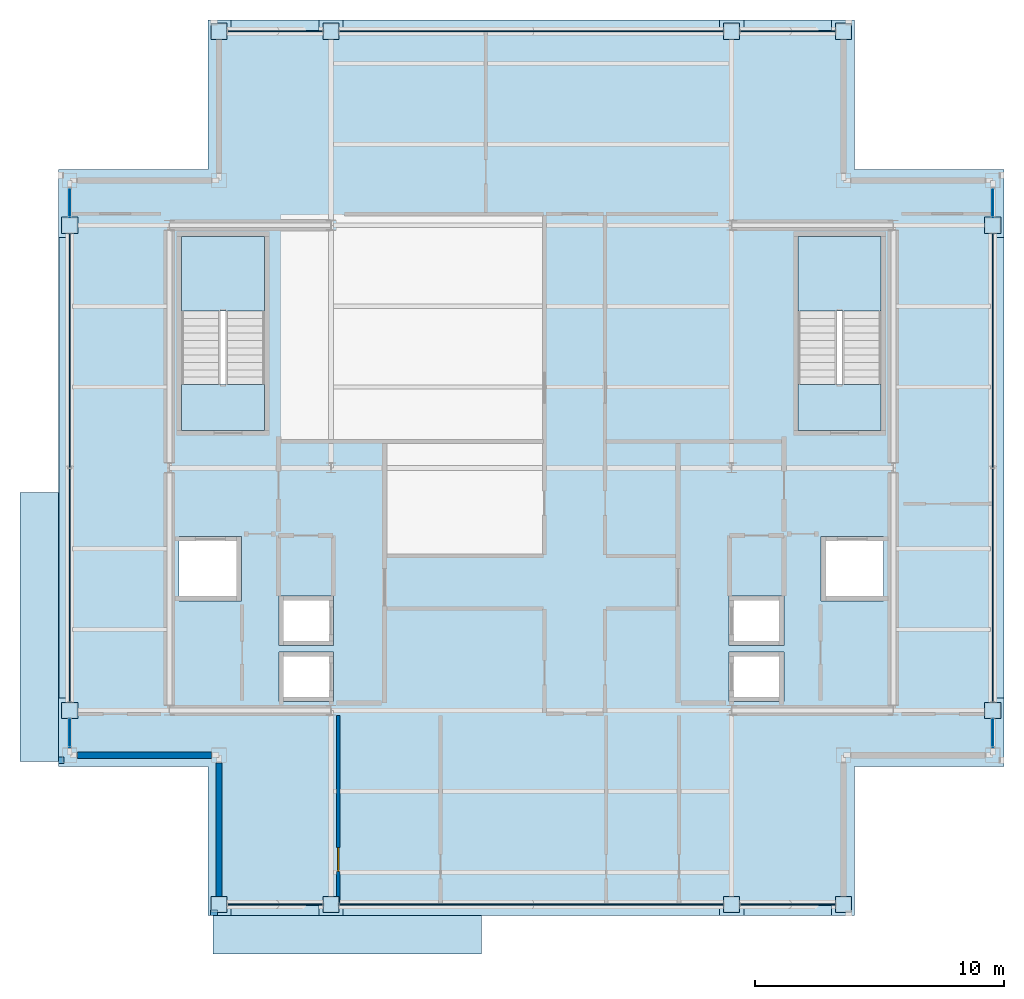
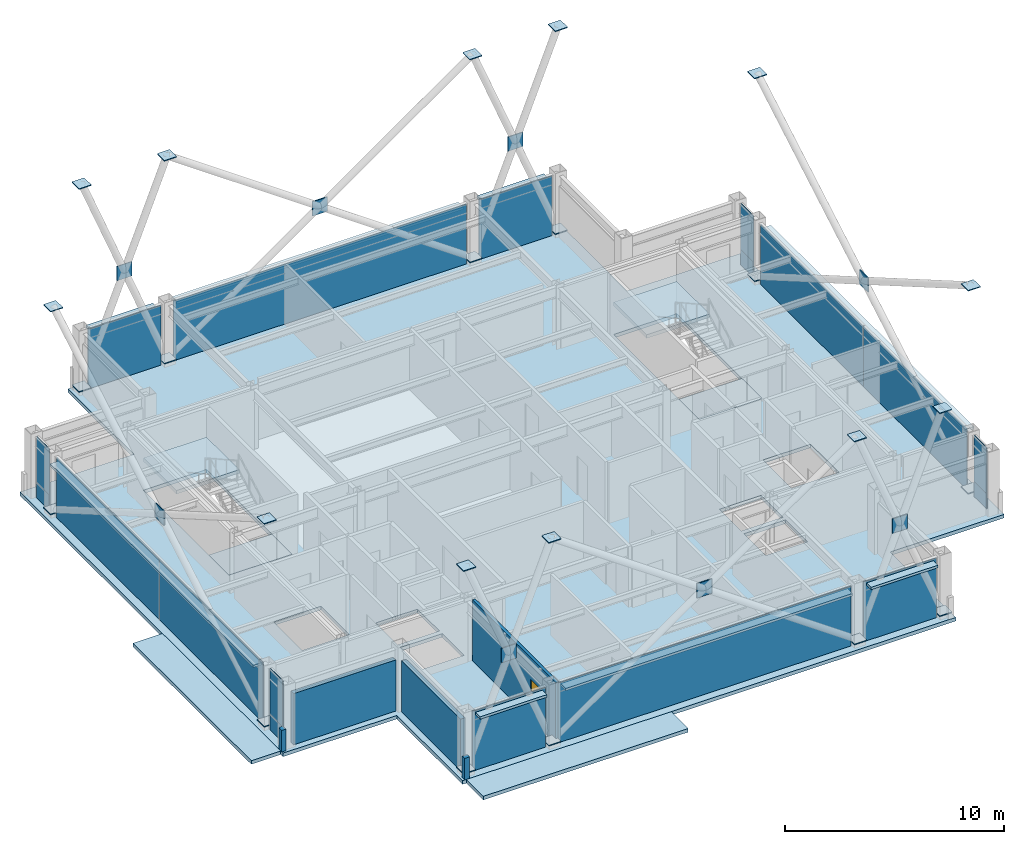
# One storey, part 20 of 24: 58 plates, 7 slabs, 5 walls, 1 door, 1 opening, 14 elements without a shape of their own.
"""IFC4 building model written with IfcOpenShell, lengths in metres."""

from ifc_helpers import new_model, si_unit, direction, frame, frame_2d, origin, origin_2d, place, context, subcontext, project, spatial, polyline, rectangle, outline, extrude, material, layer, layer_set, type_object, element, fill, aggregate, save


model = new_model("IFC4")

# Units and contexts
model_context = context("Model", 3, precision=1e-05, world=origin(), true_north=direction((0.0, 1.0)))
body_context = subcontext(model_context, "Body", "Model", "MODEL_VIEW")
ifc_project = project(units=[si_unit("LENGTHUNIT", "METRE"), si_unit("AREAUNIT", "SQUARE_METRE"), si_unit("VOLUMEUNIT", "CUBIC_METRE"), si_unit("PLANEANGLEUNIT", "RADIAN"), si_unit("MASSUNIT", "GRAM", prefix="KILO")], contexts=[model_context])

# Site, building, storey
site_placement = place(None, origin())
site = spatial("IfcSite", under=ifc_project, at=site_placement, CompositionType="ELEMENT")
building_placement = place(site_placement, origin())
building = spatial("IfcBuilding", under=site, at=building_placement, Name="Brelmoor Portico Tower", CompositionType="ELEMENT")
storey_placement = place(building_placement, frame((0.0, 0.0, 268.800048828125)))
storey = spatial("IfcBuildingStorey", under=building, at=storey_placement, Name="L71", CompositionType="ELEMENT", Elevation=268.800048828125)

# Plates
ifc_material_1 = material(Name="Steel Q355B", Category="steel")
ifc_layer_1 = layer(ifc_material_1, 0.044921875)
ifc_layer_set_1 = layer_set([ifc_layer_1], Name="Steel Q355B")
plate_type_1 = type_object("IfcPlateType", Name="PT-CAP-650", PredefinedType="SHEET", material=ifc_layer_set_1)
for number, where, z_axis, x_axis, name in (
    (1, (-12.550048828125, -17.550048828125, 0.2275390625), (0.0, 0.0, 1.0), (1.0, 0.0, 0.0), "L71 Continuous Mega-X Brace 155A Joint Cap Plate 1"),
    (2, (-8.050048828125, -17.550048828125, 11.527587890625), (0.0, 0.0, 1.0), (1.0, 0.0, 0.0), "L71 Continuous Mega-X Brace 155A Joint Cap Plate 2"),
    (3, (-8.050048828125, -17.550048828125, 0.2275390625), (0.0, 0.0, 1.0), (1.0, 0.0, 0.0), "L71 Split Mega-X Brace 155B1 Joint Cap Plate 1"),
    (4, (-12.550048828125, -17.550048828125, 11.527587890625), (0.0, 0.0, 1.0), (1.0, 0.0, 0.0), "L71 Split Mega-X Brace 155B2 Joint Cap Plate 2"),
    (5, (8.050048828125, -17.550048828125, 11.527587890625), (0.0, 0.0, 1.0), (1.0, 0.0, 0.0), "L71 Continuous Mega-X Brace 156A Joint Cap Plate 2"),
    (6, (8.050048828125, -17.550048828125, 0.2275390625), (0.0, 0.0, 1.0), (1.0, 0.0, 0.0), "L71 Split Mega-X Brace 156B1 Joint Cap Plate 1"),
    (7, (12.550048828125, -17.550048828125, 11.527587890625), (0.0, 0.0, 1.0), (1.0, 0.0, 0.0), "L71 Continuous Mega-X Brace 157A Joint Cap Plate 2"),
    (8, (12.550048828125, -17.550048828125, 0.2275390625), (0.0, 0.0, 1.0), (1.0, 0.0, 0.0), "L71 Split Mega-X Brace 157B1 Joint Cap Plate 1"),
    (9, (-12.550048828125, 17.550048828125, 0.2275390625), (0.0, 0.0, 1.0), (1.0, 0.0, 0.0), "L71 Continuous Mega-X Brace 158A Joint Cap Plate 1"),
    (10, (-8.050048828125, 17.550048828125, 11.527587890625), (0.0, 0.0, 1.0), (1.0, 0.0, 0.0), "L71 Continuous Mega-X Brace 158A Joint Cap Plate 2"),
    (11, (-8.050048828125, 17.550048828125, 0.2275390625), (0.0, 0.0, 1.0), (1.0, 0.0, 0.0), "L71 Split Mega-X Brace 158B1 Joint Cap Plate 1"),
    (12, (-12.550048828125, 17.550048828125, 11.527587890625), (0.0, 0.0, 1.0), (1.0, 0.0, 0.0), "L71 Split Mega-X Brace 158B2 Joint Cap Plate 2"),
    (13, (8.050048828125, 17.550048828125, 11.527587890625), (0.0, 0.0, 1.0), (1.0, 0.0, 0.0), "L71 Continuous Mega-X Brace 159A Joint Cap Plate 2"),
    (14, (8.050048828125, 17.550048828125, 0.2275390625), (0.0, 0.0, 1.0), (1.0, 0.0, 0.0), "L71 Split Mega-X Brace 159B1 Joint Cap Plate 1"),
    (15, (12.550048828125, 17.550048828125, 11.527587890625), (0.0, 0.0, 1.0), (1.0, 0.0, 0.0), "L71 Continuous Mega-X Brace 160A Joint Cap Plate 2"),
    (16, (12.550048828125, 17.550048828125, 0.2275390625), (0.0, 0.0, 1.0), (1.0, 0.0, 0.0), "L71 Split Mega-X Brace 160B1 Joint Cap Plate 1"),
    (17, (-18.550048828125, -9.75, 0.2275390625), (0.0, 0.0, 1.0), (1.0, 0.0, 0.0), "L71 Continuous Mega-X Brace 161A Joint Cap Plate 1"),
    (18, (-18.550048828125, 9.75, 11.527587890625), (0.0, 0.0, 1.0), (1.0, 0.0, 0.0), "L71 Continuous Mega-X Brace 161A Joint Cap Plate 2"),
    (19, (-18.550048828125, 9.75, 0.2275390625), (0.0, 0.0, 1.0), (1.0, 0.0, 0.0), "L71 Split Mega-X Brace 161B1 Joint Cap Plate 1"),
    (20, (-18.550048828125, -9.75, 11.527587890625), (0.0, 0.0, 1.0), (1.0, 0.0, 0.0), "L71 Split Mega-X Brace 161B2 Joint Cap Plate 2"),
    (21, (18.550048828125, -9.75, 0.2275390625), (0.0, 0.0, 1.0), (1.0, 0.0, 0.0), "L71 Continuous Mega-X Brace 162A Joint Cap Plate 1"),
    (22, (18.550048828125, 9.75, 11.527587890625), (0.0, 0.0, 1.0), (1.0, 0.0, 0.0), "L71 Continuous Mega-X Brace 162A Joint Cap Plate 2"),
    (23, (18.550048828125, 9.75, 0.2275390625), (0.0, 0.0, 1.0), (1.0, 0.0, 0.0), "L71 Split Mega-X Brace 162B1 Joint Cap Plate 1"),
    (24, (18.550048828125, -9.75, 11.527587890625), (0.0, 0.0, 1.0), (1.0, 0.0, 0.0), "L71 Split Mega-X Brace 162B2 Joint Cap Plate 2"),
):
    element("IfcPlate", number, at=place(storey_placement, frame(where, z_axis=z_axis, x_axis=x_axis)), inside=storey, type_object=plate_type_1, Name=name, PredefinedType="SHEET", context=body_context, shape_type="SweptSolid", body=[
        extrude(rectangle(XDim=0.64990234375, YDim=0.64990234375, at=origin_2d()), origin(), (0.0, 0.0, 1.0), 0.044921875),
    ])

# Curtain wall, plate
ifc_material_2 = material(Name="Anodised Aluminium Alloy 6063-T6", Category="aluminium")
ifc_layer_2 = layer(ifc_material_2, 0.179931640625)
ifc_layer_set_2 = layer_set([ifc_layer_2], Name="Anodised Aluminium Alloy 6063-T6")
curtain_wall_type_1 = type_object("IfcCurtainWallType", Name="CW-TOWER-Z4", PredefinedType="NOTDEFINED", material=ifc_layer_set_2)
curtain_wall_1_placement = place(storey_placement, origin())
curtain_wall_1 = element("IfcCurtainWall", 25, at=curtain_wall_1_placement, inside=storey, type_object=curtain_wall_type_1, Name="L71 Curtain Wall CW-L71-03-1", PredefinedType="NOTDEFINED")
ifc_material_3 = material(Name="Double-Silver Low-E Insulated Glazing", Category="glass")
ifc_layer_3 = layer(ifc_material_3, 0.035888671875)
ifc_layer_set_3 = layer_set([ifc_layer_3], Name="Double-Silver Low-E Insulated Glazing")
plate_type_2 = type_object("IfcPlateType", Name="PT-CW-GLASS", PredefinedType="CURTAIN_PANEL", material=ifc_layer_set_3)
plate_1_placement = place(storey_placement, frame((-18.550048828125, -10.64990234375, 0.85009765625), z_axis=(0.0, 0.0, 1.0), x_axis=(0.0, 1.0, 0.0)))
plate_1 = element("IfcPlate", 26, at=plate_1_placement, type_object=plate_type_2, Name="CW-L71-03-1 Vision Glass Panel 00", PredefinedType="CURTAIN_PANEL", context=body_context, shape_type="SweptSolid", body=[
    extrude(rectangle(XDim=1.14990234375, YDim=0.035888671875, at=origin_2d()), origin(), (0.0, 0.0, 1.0), 2.550048828125),
])

curtain_wall_2_placement = place(storey_placement, origin())
curtain_wall_2 = element("IfcCurtainWall", 27, at=curtain_wall_2_placement, inside=storey, type_object=curtain_wall_type_1, Name="L71 Curtain Wall CW-L71-03-3", PredefinedType="NOTDEFINED")
plate_2_placement = place(storey_placement, frame((-18.550048828125, 10.64990234375, 0.85009765625), z_axis=(0.0, 0.0, 1.0), x_axis=(0.0, 1.0, 0.0)))
plate_2 = element("IfcPlate", 28, at=plate_2_placement, type_object=plate_type_2, Name="CW-L71-03-3 Vision Glass Panel 00", PredefinedType="CURTAIN_PANEL", context=body_context, shape_type="SweptSolid", body=[
    extrude(rectangle(XDim=1.14990234375, YDim=0.035888671875, at=origin_2d()), origin(), (0.0, 0.0, 1.0), 2.550048828125),
])

curtain_wall_3_placement = place(storey_placement, origin())
curtain_wall_3 = element("IfcCurtainWall", 29, at=curtain_wall_3_placement, inside=storey, type_object=curtain_wall_type_1, Name="L71 Curtain Wall CW-L71-04-1", PredefinedType="NOTDEFINED")
plate_3_placement = place(storey_placement, frame((18.550048828125, -10.64990234375, 0.85009765625), z_axis=(0.0, 0.0, 1.0), x_axis=(0.0, 1.0, 0.0)))
plate_3 = element("IfcPlate", 30, at=plate_3_placement, type_object=plate_type_2, Name="CW-L71-04-1 Vision Glass Panel 00", PredefinedType="CURTAIN_PANEL", context=body_context, shape_type="SweptSolid", body=[
    extrude(rectangle(XDim=1.14990234375, YDim=0.035888671875, at=origin_2d()), origin(), (0.0, 0.0, 1.0), 2.550048828125),
])

curtain_wall_4_placement = place(storey_placement, origin())
curtain_wall_4 = element("IfcCurtainWall", 31, at=curtain_wall_4_placement, inside=storey, type_object=curtain_wall_type_1, Name="L71 Curtain Wall CW-L71-04-3", PredefinedType="NOTDEFINED")
plate_4_placement = place(storey_placement, frame((18.550048828125, 10.64990234375, 0.85009765625), z_axis=(0.0, 0.0, 1.0), x_axis=(0.0, 1.0, 0.0)))
plate_4 = element("IfcPlate", 32, at=plate_4_placement, type_object=plate_type_2, Name="CW-L71-04-3 Vision Glass Panel 00", PredefinedType="CURTAIN_PANEL", context=body_context, shape_type="SweptSolid", body=[
    extrude(rectangle(XDim=1.14990234375, YDim=0.035888671875, at=origin_2d()), origin(), (0.0, 0.0, 1.0), 2.550048828125),
])

ifc_layer_4 = layer(ifc_material_2, 0.179931640625)
ifc_layer_set_4 = layer_set([ifc_layer_4], Name="Anodised Aluminium Alloy 6063-T6")
curtain_wall_type_2 = type_object("IfcCurtainWallType", Name="CW-TOWER-Z4-XB", PredefinedType="NOTDEFINED", material=ifc_layer_set_4)
curtain_wall_5_placement = place(storey_placement, origin())
curtain_wall_5 = element("IfcCurtainWall", 33, at=curtain_wall_5_placement, inside=storey, type_object=curtain_wall_type_2, Name="L71 Curtain Wall CW-L71-01-1", PredefinedType="NOTDEFINED")
ifc_material_4 = material(Name="Pale Champagne Anodised Aluminium Panel", Category="aluminium")
ifc_layer_5 = layer(ifc_material_4, 0.050048828125)
ifc_layer_set_5 = layer_set([ifc_layer_5], Name="Pale Champagne Anodised Aluminium Panel")
plate_type_3 = type_object("IfcPlateType", Name="PT-CW-SPANDREL", PredefinedType="SHEET", material=ifc_layer_set_5)
plate_5_placement = place(storey_placement, frame((-10.300048828125, -17.550048828125, 0.0), z_axis=(0.0, 0.0, 1.0), x_axis=(1.0, 0.0, 0.0)))
plate_5 = element("IfcPlate", 34, at=plate_5_placement, type_object=plate_type_3, Name="CW-L71-01-1 Spandrel Panel 00", PredefinedType="SHEET", context=body_context, shape_type="SweptSolid", body=[
    extrude(rectangle(XDim=3.85009765625, YDim=0.050048828125, at=origin_2d()), origin(), (0.0, 0.0, 1.0), 3.33740234375),
])
aggregate(curtain_wall_5, [plate_5])

curtain_wall_6_placement = place(storey_placement, origin())
curtain_wall_6 = element("IfcCurtainWall", 35, at=curtain_wall_6_placement, inside=storey, type_object=curtain_wall_type_2, Name="L71 Curtain Wall CW-L71-01-2", PredefinedType="NOTDEFINED")
plate_6_placement = place(storey_placement, frame((0.0, -17.550048828125, 0.0), z_axis=(0.0, 0.0, 1.0), x_axis=(1.0, 0.0, 0.0)))
plate_6 = element("IfcPlate", 36, at=plate_6_placement, type_object=plate_type_3, Name="CW-L71-01-2 Spandrel Panel 00", PredefinedType="SHEET", context=body_context, shape_type="SweptSolid", body=[
    extrude(rectangle(XDim=15.449951171875, YDim=0.050048828125, at=origin_2d()), origin(), (0.0, 0.0, 1.0), 3.33740234375),
])
aggregate(curtain_wall_6, [plate_6])

curtain_wall_7_placement = place(storey_placement, origin())
curtain_wall_7 = element("IfcCurtainWall", 37, at=curtain_wall_7_placement, inside=storey, type_object=curtain_wall_type_2, Name="L71 Curtain Wall CW-L71-01-3", PredefinedType="NOTDEFINED")
plate_7_placement = place(storey_placement, frame((10.300048828125, -17.550048828125, 0.0), z_axis=(0.0, 0.0, 1.0), x_axis=(1.0, 0.0, 0.0)))
plate_7 = element("IfcPlate", 38, at=plate_7_placement, type_object=plate_type_3, Name="CW-L71-01-3 Spandrel Panel 00", PredefinedType="SHEET", context=body_context, shape_type="SweptSolid", body=[
    extrude(rectangle(XDim=3.85009765625, YDim=0.050048828125, at=origin_2d()), origin(), (0.0, 0.0, 1.0), 3.33740234375),
])
aggregate(curtain_wall_7, [plate_7])

curtain_wall_8_placement = place(storey_placement, origin())
curtain_wall_8 = element("IfcCurtainWall", 39, at=curtain_wall_8_placement, inside=storey, type_object=curtain_wall_type_2, Name="L71 Curtain Wall CW-L71-02-1", PredefinedType="NOTDEFINED")
plate_8_placement = place(storey_placement, frame((-10.300048828125, 17.550048828125, 0.0), z_axis=(0.0, 0.0, 1.0), x_axis=(1.0, 0.0, 0.0)))
plate_8 = element("IfcPlate", 40, at=plate_8_placement, type_object=plate_type_3, Name="CW-L71-02-1 Spandrel Panel 00", PredefinedType="SHEET", context=body_context, shape_type="SweptSolid", body=[
    extrude(rectangle(XDim=3.85009765625, YDim=0.050048828125, at=origin_2d()), origin(), (0.0, 0.0, 1.0), 3.33740234375),
])
aggregate(curtain_wall_8, [plate_8])

curtain_wall_9_placement = place(storey_placement, origin())
curtain_wall_9 = element("IfcCurtainWall", 41, at=curtain_wall_9_placement, inside=storey, type_object=curtain_wall_type_2, Name="L71 Curtain Wall CW-L71-02-2", PredefinedType="NOTDEFINED")
plate_9_placement = place(storey_placement, frame((0.0, 17.550048828125, 0.0), z_axis=(0.0, 0.0, 1.0), x_axis=(1.0, 0.0, 0.0)))
plate_9 = element("IfcPlate", 42, at=plate_9_placement, type_object=plate_type_3, Name="CW-L71-02-2 Spandrel Panel 00", PredefinedType="SHEET", context=body_context, shape_type="SweptSolid", body=[
    extrude(rectangle(XDim=15.449951171875, YDim=0.050048828125, at=origin_2d()), origin(), (0.0, 0.0, 1.0), 3.33740234375),
])
aggregate(curtain_wall_9, [plate_9])

curtain_wall_10_placement = place(storey_placement, origin())
curtain_wall_10 = element("IfcCurtainWall", 43, at=curtain_wall_10_placement, inside=storey, type_object=curtain_wall_type_2, Name="L71 Curtain Wall CW-L71-02-3", PredefinedType="NOTDEFINED")
plate_10_placement = place(storey_placement, frame((10.300048828125, 17.550048828125, 0.0), z_axis=(0.0, 0.0, 1.0), x_axis=(1.0, 0.0, 0.0)))
plate_10 = element("IfcPlate", 44, at=plate_10_placement, type_object=plate_type_3, Name="CW-L71-02-3 Spandrel Panel 00", PredefinedType="SHEET", context=body_context, shape_type="SweptSolid", body=[
    extrude(rectangle(XDim=3.85009765625, YDim=0.050048828125, at=origin_2d()), origin(), (0.0, 0.0, 1.0), 3.33740234375),
])
aggregate(curtain_wall_10, [plate_10])

# Plate
plate_11_placement = place(storey_placement, frame((-18.550048828125, -10.64990234375, 0.0), z_axis=(0.0, 0.0, 1.0), x_axis=(0.0, 1.0, 0.0)))
plate_11 = element("IfcPlate", 45, at=plate_11_placement, type_object=plate_type_3, Name="CW-L71-03-1 Spandrel Panel 00", PredefinedType="SHEET", context=body_context, shape_type="SweptSolid", body=[
    extrude(rectangle(XDim=1.14990234375, YDim=0.050048828125, at=origin_2d()), origin(), (0.0, 0.0, 1.0), 0.85009765625),
])

aggregate(curtain_wall_1, [plate_11, plate_1])

# Curtain wall, plates
curtain_wall_11_placement = place(storey_placement, origin())
curtain_wall_11 = element("IfcCurtainWall", 46, at=curtain_wall_11_placement, inside=storey, type_object=curtain_wall_type_2, Name="L71 Curtain Wall CW-L71-03-2", PredefinedType="NOTDEFINED")
plate_12_placement = place(storey_placement, frame((-18.550048828125, -4.719970703125, 0.0), z_axis=(0.0, 0.0, 1.0), x_axis=(0.0, 1.0, 0.0)))
plate_12 = element("IfcPlate", 47, at=plate_12_placement, type_object=plate_type_3, Name="CW-L71-03-2 Spandrel Panel 00", PredefinedType="SHEET", context=body_context, shape_type="SweptSolid", body=[
    extrude(rectangle(XDim=9.409912109375, YDim=0.050048828125, at=origin_2d()), origin(), (0.0, 0.0, 1.0), 3.33740234375),
])
plate_13_placement = place(storey_placement, frame((-18.550048828125, 4.719970703125, 0.0), z_axis=(0.0, 0.0, 1.0), x_axis=(0.0, 1.0, 0.0)))
plate_13 = element("IfcPlate", 48, at=plate_13_placement, type_object=plate_type_3, Name="CW-L71-03-2 Spandrel Panel 01", PredefinedType="SHEET", context=body_context, shape_type="SweptSolid", body=[
    extrude(rectangle(XDim=9.409912109375, YDim=0.050048828125, at=origin_2d()), origin(), (0.0, 0.0, 1.0), 3.33740234375),
])
aggregate(curtain_wall_11, [plate_12, plate_13])

# Plate
plate_14_placement = place(storey_placement, frame((-18.550048828125, 10.64990234375, 0.0), z_axis=(0.0, 0.0, 1.0), x_axis=(0.0, 1.0, 0.0)))
plate_14 = element("IfcPlate", 49, at=plate_14_placement, type_object=plate_type_3, Name="CW-L71-03-3 Spandrel Panel 00", PredefinedType="SHEET", context=body_context, shape_type="SweptSolid", body=[
    extrude(rectangle(XDim=1.14990234375, YDim=0.050048828125, at=origin_2d()), origin(), (0.0, 0.0, 1.0), 0.85009765625),
])

aggregate(curtain_wall_2, [plate_14, plate_2])

plate_15_placement = place(storey_placement, frame((18.550048828125, -10.64990234375, 0.0), z_axis=(0.0, 0.0, 1.0), x_axis=(0.0, 1.0, 0.0)))
plate_15 = element("IfcPlate", 50, at=plate_15_placement, type_object=plate_type_3, Name="CW-L71-04-1 Spandrel Panel 00", PredefinedType="SHEET", context=body_context, shape_type="SweptSolid", body=[
    extrude(rectangle(XDim=1.14990234375, YDim=0.050048828125, at=origin_2d()), origin(), (0.0, 0.0, 1.0), 0.85009765625),
])

aggregate(curtain_wall_3, [plate_15, plate_3])

# Curtain wall, plates
curtain_wall_12_placement = place(storey_placement, origin())
curtain_wall_12 = element("IfcCurtainWall", 51, at=curtain_wall_12_placement, inside=storey, type_object=curtain_wall_type_2, Name="L71 Curtain Wall CW-L71-04-2", PredefinedType="NOTDEFINED")
plate_16_placement = place(storey_placement, frame((18.550048828125, -4.719970703125, 0.0), z_axis=(0.0, 0.0, 1.0), x_axis=(0.0, 1.0, 0.0)))
plate_16 = element("IfcPlate", 52, at=plate_16_placement, type_object=plate_type_3, Name="CW-L71-04-2 Spandrel Panel 00", PredefinedType="SHEET", context=body_context, shape_type="SweptSolid", body=[
    extrude(rectangle(XDim=9.409912109375, YDim=0.050048828125, at=origin_2d()), origin(), (0.0, 0.0, 1.0), 3.33740234375),
])
plate_17_placement = place(storey_placement, frame((18.550048828125, 4.719970703125, 0.0), z_axis=(0.0, 0.0, 1.0), x_axis=(0.0, 1.0, 0.0)))
plate_17 = element("IfcPlate", 53, at=plate_17_placement, type_object=plate_type_3, Name="CW-L71-04-2 Spandrel Panel 01", PredefinedType="SHEET", context=body_context, shape_type="SweptSolid", body=[
    extrude(rectangle(XDim=9.409912109375, YDim=0.050048828125, at=origin_2d()), origin(), (0.0, 0.0, 1.0), 3.33740234375),
])
aggregate(curtain_wall_12, [plate_16, plate_17])

# Plate
plate_18_placement = place(storey_placement, frame((18.550048828125, 10.64990234375, 0.0), z_axis=(0.0, 0.0, 1.0), x_axis=(0.0, 1.0, 0.0)))
plate_18 = element("IfcPlate", 54, at=plate_18_placement, type_object=plate_type_3, Name="CW-L71-04-3 Spandrel Panel 00", PredefinedType="SHEET", context=body_context, shape_type="SweptSolid", body=[
    extrude(rectangle(XDim=1.14990234375, YDim=0.050048828125, at=origin_2d()), origin(), (0.0, 0.0, 1.0), 0.85009765625),
])

aggregate(curtain_wall_4, [plate_18, plate_4])

# Plates
ifc_layer_6 = layer(ifc_material_1, 0.050048828125)
ifc_layer_set_6 = layer_set([ifc_layer_6], Name="Steel Q355B")
plate_type_4 = type_object("IfcPlateType", Name="PT-GUSSET-800", PredefinedType="USERDEFINED", material=ifc_layer_set_6)
for number, where, z_axis, x_axis, name in (
    (55, (-10.300048828125, -17.550048828125, 5.5), (0.0, 0.0, 1.0), (1.0, 0.0, 0.0), "L71 Perimeter Mega-Brace Gusset 155"),
    (56, (0.0, -17.550048828125, 5.5), (0.0, 0.0, 1.0), (1.0, 0.0, 0.0), "L71 Perimeter Mega-Brace Gusset 156"),
    (57, (10.300048828125, -17.550048828125, 5.5), (0.0, 0.0, 1.0), (1.0, 0.0, 0.0), "L71 Perimeter Mega-Brace Gusset 157"),
    (58, (-10.300048828125, 17.550048828125, 5.5), (0.0, 0.0, 1.0), (1.0, 0.0, 0.0), "L71 Perimeter Mega-Brace Gusset 158"),
    (59, (0.0, 17.550048828125, 5.5), (0.0, 0.0, 1.0), (1.0, 0.0, 0.0), "L71 Perimeter Mega-Brace Gusset 159"),
    (60, (10.300048828125, 17.550048828125, 5.5), (0.0, 0.0, 1.0), (1.0, 0.0, 0.0), "L71 Perimeter Mega-Brace Gusset 160"),
):
    element("IfcPlate", number, at=place(storey_placement, frame(where, z_axis=z_axis, x_axis=x_axis)), inside=storey, type_object=plate_type_4, Name=name, ObjectType="GUSSET PLATE", PredefinedType="USERDEFINED", context=body_context, shape_type="SweptSolid", body=[
        extrude(rectangle(XDim=0.800048828125, YDim=0.050048828125, at=origin_2d()), origin(), (0.0, 0.0, 1.0), 0.800048828125),
    ])
for number, where, z_axis, x_axis, name in (
    (61, (-18.550048828125, 0.0, 5.5), (0.0, 0.0, 1.0), (1.0, 0.0, 0.0), "L71 Perimeter Mega-Brace Gusset 161"),
    (62, (18.550048828125, 0.0, 5.5), (0.0, 0.0, 1.0), (1.0, 0.0, 0.0), "L71 Perimeter Mega-Brace Gusset 162"),
):
    element("IfcPlate", number, at=place(storey_placement, frame(where, z_axis=z_axis, x_axis=x_axis)), inside=storey, type_object=plate_type_4, Name=name, ObjectType="GUSSET PLATE", PredefinedType="USERDEFINED", context=body_context, shape_type="SweptSolid", body=[
        extrude(rectangle(XDim=0.050048828125, YDim=0.800048828125, at=origin_2d()), origin(), (0.0, 0.0, 1.0), 0.800048828125),
    ])
ifc_material_5 = material(Name="Pale Champagne Perforated Aluminium Solar Screen", Category="aluminium")
ifc_layer_7 = layer(ifc_material_5, 0.054931640625)
ifc_layer_set_7 = layer_set([ifc_layer_7], Name="Pale Champagne Perforated Aluminium Solar Screen")
plate_type_5 = type_object("IfcPlateType", Name="PT-SOLAR-LOUVRE", PredefinedType="SHEET", material=ifc_layer_set_7)
plate_19_placement = place(storey_placement, frame((-10.300048828125, -17.760009765625, 3.08984375), z_axis=(0.0, 0.0, 1.0), x_axis=(1.0, 0.0, 0.0)))
element("IfcPlate", 63, at=plate_19_placement, inside=storey, type_object=plate_type_5, Name="CW-L71-01-1 Caribbean Brise-Soleil Solar Screen", PredefinedType="SHEET", context=body_context, shape_type="SweptSolid", body=[
    extrude(rectangle(XDim=3.52001953125, YDim=0.4599609375, at=origin_2d()), origin(), (0.0, 0.0, 1.0), 0.139892578125),
])
plate_20_placement = place(storey_placement, frame((0.0, -17.760009765625, 3.08984375), z_axis=(0.0, 0.0, 1.0), x_axis=(1.0, 0.0, 0.0)))
element("IfcPlate", 64, at=plate_20_placement, inside=storey, type_object=plate_type_5, Name="CW-L71-01-2 Caribbean Brise-Soleil Solar Screen", PredefinedType="SHEET", context=body_context, shape_type="SweptSolid", body=[
    extrude(rectangle(XDim=15.1201171875, YDim=0.4599609375, at=origin_2d()), origin(), (0.0, 0.0, 1.0), 0.139892578125),
])
for number, where, z_axis, x_axis, name in (
    (65, (10.300048828125, -17.760009765625, 3.08984375), (0.0, 0.0, 1.0), (1.0, 0.0, 0.0), "CW-L71-01-3 Caribbean Brise-Soleil Solar Screen"),
    (66, (-10.300048828125, 17.760009765625, 3.08984375), (0.0, 0.0, 1.0), (1.0, 0.0, 0.0), "CW-L71-02-1 Caribbean Brise-Soleil Solar Screen"),
):
    element("IfcPlate", number, at=place(storey_placement, frame(where, z_axis=z_axis, x_axis=x_axis)), inside=storey, type_object=plate_type_5, Name=name, PredefinedType="SHEET", context=body_context, shape_type="SweptSolid", body=[
        extrude(rectangle(XDim=3.52001953125, YDim=0.4599609375, at=origin_2d()), origin(), (0.0, 0.0, 1.0), 0.139892578125),
    ])
plate_21_placement = place(storey_placement, frame((0.0, 17.760009765625, 3.08984375), z_axis=(0.0, 0.0, 1.0), x_axis=(1.0, 0.0, 0.0)))
element("IfcPlate", 67, at=plate_21_placement, inside=storey, type_object=plate_type_5, Name="CW-L71-02-2 Caribbean Brise-Soleil Solar Screen", PredefinedType="SHEET", context=body_context, shape_type="SweptSolid", body=[
    extrude(rectangle(XDim=15.1201171875, YDim=0.4599609375, at=origin_2d()), origin(), (0.0, 0.0, 1.0), 0.139892578125),
])
plate_22_placement = place(storey_placement, frame((10.300048828125, 17.760009765625, 3.08984375), z_axis=(0.0, 0.0, 1.0), x_axis=(1.0, 0.0, 0.0)))
element("IfcPlate", 68, at=plate_22_placement, inside=storey, type_object=plate_type_5, Name="CW-L71-02-3 Caribbean Brise-Soleil Solar Screen", PredefinedType="SHEET", context=body_context, shape_type="SweptSolid", body=[
    extrude(rectangle(XDim=3.52001953125, YDim=0.4599609375, at=origin_2d()), origin(), (0.0, 0.0, 1.0), 0.139892578125),
])
for number, where, z_axis, x_axis, name in (
    (69, (-18.760009765625, 0.0, 3.08984375), (0.0, 0.0, 1.0), (0.0, 1.0, 0.0), "CW-L71-03-2 Caribbean Brise-Soleil Solar Screen"),
    (70, (18.760009765625, 0.0, 3.08984375), (0.0, 0.0, 1.0), (0.0, 1.0, 0.0), "CW-L71-04-2 Caribbean Brise-Soleil Solar Screen"),
):
    element("IfcPlate", number, at=place(storey_placement, frame(where, z_axis=z_axis, x_axis=x_axis)), inside=storey, type_object=plate_type_5, Name=name, PredefinedType="SHEET", context=body_context, shape_type="SweptSolid", body=[
        extrude(rectangle(XDim=18.52001953125, YDim=0.4599609375, at=origin_2d()), origin(), (0.0, 0.0, 1.0), 0.139892578125),
    ])

# Slab
ifc_material_6 = material(Name="Concrete C40", Category="concrete")
ifc_layer_8 = layer(ifc_material_6, 0.199951171875)
ifc_layer_set_8 = layer_set([ifc_layer_8], Name="Concrete C40")
slab_type_1 = type_object("IfcSlabType", Name="SL-FLOOR-200", PredefinedType="FLOOR", material=ifc_layer_set_8)
slab_1_placement = place(storey_placement, frame((0.0, 0.0, -0.199951171875)))
element("IfcSlab", 71, at=slab_1_placement, inside=storey, type_object=slab_type_1, Name="L71 Main Structural Floor Slab", PredefinedType="FLOOR", context=body_context, shape_type="SweptSolid", body=[
    extrude(outline(polyline([(-13.0, -18.0), (13.0, -18.0), (13.0, -12.0), (19.0, -12.0), (19.0, 12.0), (13.0, 12.0), (13.0, 18.0), (-13.0, 18.0), (-13.0, 12.0), (-19.0, 12.0), (-19.0, -12.0), (-13.0, -12.0), (-13.0, -18.0)]), holes=[polyline([(-10.72998046875, 1.5), (-10.72998046875, 9.300048828125), (-14.050048828125, 9.300048828125), (-14.050048828125, 1.5), (-10.72998046875, 1.5)]), polyline([(14.050048828125, 1.5), (14.050048828125, 9.300048828125), (10.72998046875, 9.300048828125), (10.72998046875, 1.5), (14.050048828125, 1.5)]), polyline([(-10.14990234375, -9.39990234375), (-7.949951171875, -9.39990234375), (-7.949951171875, -7.39990234375), (-10.14990234375, -7.39990234375), (-10.14990234375, -9.39990234375)]), polyline([(-10.14990234375, -7.14990234375), (-7.949951171875, -7.14990234375), (-7.949951171875, -5.14990234375), (-10.14990234375, -5.14990234375), (-10.14990234375, -7.14990234375)]), polyline([(7.949951171875, -9.39990234375), (10.14990234375, -9.39990234375), (10.14990234375, -7.39990234375), (7.949951171875, -7.39990234375), (7.949951171875, -9.39990234375)]), polyline([(7.949951171875, -7.14990234375), (10.14990234375, -7.14990234375), (10.14990234375, -5.14990234375), (7.949951171875, -5.14990234375), (7.949951171875, -7.14990234375)]), polyline([(-14.14990234375, -5.35009765625), (-11.64990234375, -5.35009765625), (-11.64990234375, -2.75), (-14.14990234375, -2.75), (-14.14990234375, -5.35009765625)]), polyline([(11.64990234375, -5.35009765625), (14.14990234375, -5.35009765625), (14.14990234375, -2.75), (11.64990234375, -2.75), (11.64990234375, -5.35009765625)])]), origin(), (0.0, 0.0, 1.0), 0.199951171875),
])

# Stair, slab
stair_type_1 = type_object("IfcStairType", Name="ST-CORE-W", PredefinedType="HALF_TURN_STAIR", material=ifc_material_6)
stair_1_placement = place(storey_placement, origin())
stair_1 = element("IfcStair", 72, at=stair_1_placement, inside=storey, type_object=stair_type_1, Name="L71 Protected Core Exit Stair ST-W", PredefinedType="HALF_TURN_STAIR")
ifc_layer_9 = layer(ifc_material_6, 0.179931640625)
ifc_layer_set_9 = layer_set([ifc_layer_9], Name="Concrete C40")
slab_type_2 = type_object("IfcSlabType", Name="SL-LANDING-180", PredefinedType="LANDING", material=ifc_layer_set_9)
slab_2_placement = place(storey_placement, frame((0.0, 0.0, 1.599853515625)))
slab_2 = element("IfcSlab", 73, at=slab_2_placement, type_object=slab_type_2, Name="ST-W landing 1", PredefinedType="LANDING", context=body_context, shape_type="SweptSolid", body=[
    extrude(outline(polyline([(-10.72998046875, 6.300048828125), (-10.72998046875, 9.300048828125), (-14.050048828125, 9.300048828125), (-14.050048828125, 6.300048828125), (-10.72998046875, 6.300048828125)])), origin(), (0.0, 0.0, 1.0), 0.2001953125),
])
aggregate(stair_1, [slab_2])

stair_type_2 = type_object("IfcStairType", Name="ST-CORE-E", PredefinedType="HALF_TURN_STAIR", material=ifc_material_6)
stair_2_placement = place(storey_placement, origin())
stair_2 = element("IfcStair", 74, at=stair_2_placement, inside=storey, type_object=stair_type_2, Name="L71 Protected Core Exit Stair ST-E", PredefinedType="HALF_TURN_STAIR")
slab_3_placement = place(storey_placement, frame((0.0, 0.0, 1.599853515625)))
slab_3 = element("IfcSlab", 75, at=slab_3_placement, type_object=slab_type_2, Name="ST-E landing 1", PredefinedType="LANDING", context=body_context, shape_type="SweptSolid", body=[
    extrude(outline(polyline([(14.050048828125, 6.300048828125), (14.050048828125, 9.300048828125), (10.72998046875, 9.300048828125), (10.72998046875, 6.300048828125), (14.050048828125, 6.300048828125)])), origin(), (0.0, 0.0, 1.0), 0.2001953125),
])
aggregate(stair_2, [slab_3])

# Slabs
ifc_layer_10 = layer(ifc_material_6, 0.199951171875)
ifc_layer_set_10 = layer_set([ifc_layer_10], Name="Concrete C40")
slab_type_3 = type_object("IfcSlabType", Name="SL-ROOF-200", PredefinedType="ROOF", material=ifc_layer_set_10)
slab_4_placement = place(storey_placement, frame((0.0, 0.0, -0.199951171875)))
element("IfcSlab", 76, at=slab_4_placement, inside=storey, type_object=slab_type_3, Name="L71 Picture-Frame Top Hood Slab S", PredefinedType="ROOF", context=body_context, shape_type="SweptSolid", body=[
    extrude(outline(polyline([(-12.800048828125, -19.550048828125), (-2.0, -19.550048828125), (-2.0, -18.0), (-12.800048828125, -18.0), (-12.800048828125, -19.550048828125)])), origin(), (0.0, 0.0, 1.0), 0.199951171875),
])
slab_5_placement = place(storey_placement, frame((0.0, 0.0, -0.199951171875)))
element("IfcSlab", 77, at=slab_5_placement, inside=storey, type_object=slab_type_3, Name="L71 Picture-Frame Top Hood Slab W", PredefinedType="ROOF", context=body_context, shape_type="SweptSolid", body=[
    extrude(outline(polyline([(-20.550048828125, -11.800048828125), (-19.0, -11.800048828125), (-19.0, -1.0), (-20.550048828125, -1.0), (-20.550048828125, -11.800048828125)])), origin(), (0.0, 0.0, 1.0), 0.199951171875),
])
ifc_layer_11 = layer(ifc_material_6, 0.199951171875)
ifc_layer_set_11 = layer_set([ifc_layer_11], Name="Concrete C40")
slab_type_4 = type_object("IfcSlabType", Name="SL-STAIR-FL200", PredefinedType="LANDING", material=ifc_layer_set_11)
slab_6_placement = place(storey_placement, frame((0.0, 0.0, -0.199951171875)))
element("IfcSlab", 78, at=slab_6_placement, inside=storey, type_object=slab_type_4, Name="L71 ST-W Structural Floor Landing Slab", PredefinedType="LANDING", context=body_context, shape_type="SweptSolid", body=[
    extrude(outline(polyline([(-10.72998046875, 1.5), (-10.72998046875, 3.35009765625), (-14.050048828125, 3.35009765625), (-14.050048828125, 1.5), (-10.72998046875, 1.5)])), origin(), (0.0, 0.0, 1.0), 0.199951171875),
])
slab_7_placement = place(storey_placement, frame((0.0, 0.0, -0.199951171875)))
element("IfcSlab", 79, at=slab_7_placement, inside=storey, type_object=slab_type_4, Name="L71 ST-E Structural Floor Landing Slab", PredefinedType="LANDING", context=body_context, shape_type="SweptSolid", body=[
    extrude(outline(polyline([(14.050048828125, 1.5), (14.050048828125, 3.35009765625), (10.72998046875, 3.35009765625), (10.72998046875, 1.5), (14.050048828125, 1.5)])), origin(), (0.0, 0.0, 1.0), 0.199951171875),
])

# Walls
ifc_material_7 = material(Name="Precast Concrete C40 Insulated Facade Wall", Category="concrete")
ifc_layer_12 = layer(ifc_material_7, 0.25)
ifc_layer_set_12 = layer_set([ifc_layer_12], Name="Precast Concrete C40 Insulated Facade Wall")
wall_type_1 = type_object("IfcWallType", Name="WL-EXT-250", PredefinedType="STANDARD", material=ifc_layer_set_12)
for number, where, z_axis, x_axis, name in (
    (80, (-18.239990234375, -11.550048828125, 0.0), (0.0, 0.0, 1.0), (1.0, 0.0, 0.0), "L71 Corner Notch Facade Wall NSWH1"),
    (81, (-12.550048828125, -17.239990234375, 0.0), (0.0, 0.0, 1.0), (0.0, 1.0, 0.0), "L71 Corner Notch Facade Wall NSWV1"),
):
    element("IfcWall", number, at=place(storey_placement, frame(where, z_axis=z_axis, x_axis=x_axis)), inside=storey, type_object=wall_type_1, Name=name, PredefinedType="STANDARD", context=body_context, shape_type="SweptSolid", body=[
        extrude(rectangle(XDim=5.3798828125, YDim=0.25, at=frame_2d((2.68994140625, 0.0))), origin(), (0.0, 0.0, 1.0), 2.849853515625),
    ])
ifc_material_8 = material(Name="Concrete C40 Parapet Upstand", Category="concrete")
ifc_layer_13 = layer(ifc_material_8, 0.219970703125)
ifc_layer_set_13 = layer_set([ifc_layer_13], Name="Concrete C40 Parapet Upstand")
wall_type_2 = type_object("IfcWallType", Name="WL-PARAPET-220", PredefinedType="PARAPET", material=ifc_layer_set_13)
for number, where, z_axis, x_axis, name in (
    (82, (-12.889892578125, -17.889892578125, 0.0), (0.0, 0.0, 1.0), (1.0, 0.0, 0.0), "L71 Chamfer Vertex Parapet Pier SW1"),
    (83, (-18.889892578125, -11.889892578125, 0.0), (0.0, 0.0, 1.0), (0.0, 1.0, 0.0), "L71 Chamfer Vertex Parapet Pier SW2"),
):
    element("IfcWall", number, at=place(storey_placement, frame(where, z_axis=z_axis, x_axis=x_axis)), inside=storey, type_object=wall_type_2, Name=name, PredefinedType="PARAPET", context=body_context, shape_type="SweptSolid", body=[
        extrude(rectangle(XDim=0.269775390625, YDim=0.219970703125, at=frame_2d((0.134765625, 0.0))), origin(), (0.0, 0.0, 1.0), 1.199951171875),
    ])

# Wall, opening, door
ifc_material_9 = material(Name="Wet-Area Moisture-Resistant Partition", Category="gypsum")
ifc_layer_14 = layer(ifc_material_9, 0.14990234375)
ifc_layer_set_14 = layer_set([ifc_layer_14], Name="Wet-Area Moisture-Resistant Partition")
wall_type_3 = type_object("IfcWallType", Name="WL-PART-150", PredefinedType="PARTITIONING", material=ifc_layer_set_14)
wall_placement = place(storey_placement, frame((-7.7587890625, -17.56005859375, 0.0), z_axis=(0.0, 0.0, 1.0), x_axis=(0.0, 1.0, 0.0)))
wall = element("IfcWall", 84, at=wall_placement, inside=storey, type_object=wall_type_3, Name="L71 South Suite Partition 1", PredefinedType="PARTITIONING", context=body_context, shape_type="SweptSolid", body=[
    extrude(rectangle(XDim=7.60009765625, YDim=0.14990234375, at=frame_2d((3.800048828125, 0.0))), origin(), (0.0, 0.0, 1.0), 3.39990234375),
])
opening_placement = place(wall_placement, frame((1.340087890625, 0.0, 0.0)))
opening = element("IfcOpeningElement", 85, at=opening_placement, cuts=wall, Name="Opening D-IN2", PredefinedType="OPENING", context=body_context, shape_type="SweptSolid", body=[
    extrude(rectangle(XDim=0.9599609375, YDim=2.179931640625, at=frame_2d((0.47998046875, 1.08984375))), frame((0.0, 0.0849609375, 0.0), z_axis=(0.0, -1.0, 0.0), x_axis=(1.0, 0.0, 0.0)), (0.0, 0.0, 1.0), 0.169921875),
])
ifc_material_10 = material(Name="Lacquered Timber Suite Door", Category="wood")
door_type = type_object("IfcDoorType", Name="DR-INT-950", OperationType="NOTDEFINED", PredefinedType="DOOR", material=ifc_material_10)
door_placement = place(opening_placement, origin())
door = element("IfcDoor", 86, at=door_placement, inside=storey, type_object=door_type, Name="D-2923 L71 South Suite Connecting Door 1", OperationType="SINGLE_SWING_LEFT", OverallHeight=2.179931640625, OverallWidth=0.9599609375, PredefinedType="DOOR", context=body_context, shape_type="SweptSolid", body=[
    extrude(rectangle(XDim=0.9599609375, YDim=2.179931640625, at=frame_2d((0.47998046875, 1.08984375))), frame((0.0, 0.02490234375, 0.0), z_axis=(0.0, -1.0, 0.0), x_axis=(1.0, 0.0, 0.0)), (0.0, 0.0, 1.0), 0.050048828125),
])
fill(opening, door)

save(model, "model.ifc")
